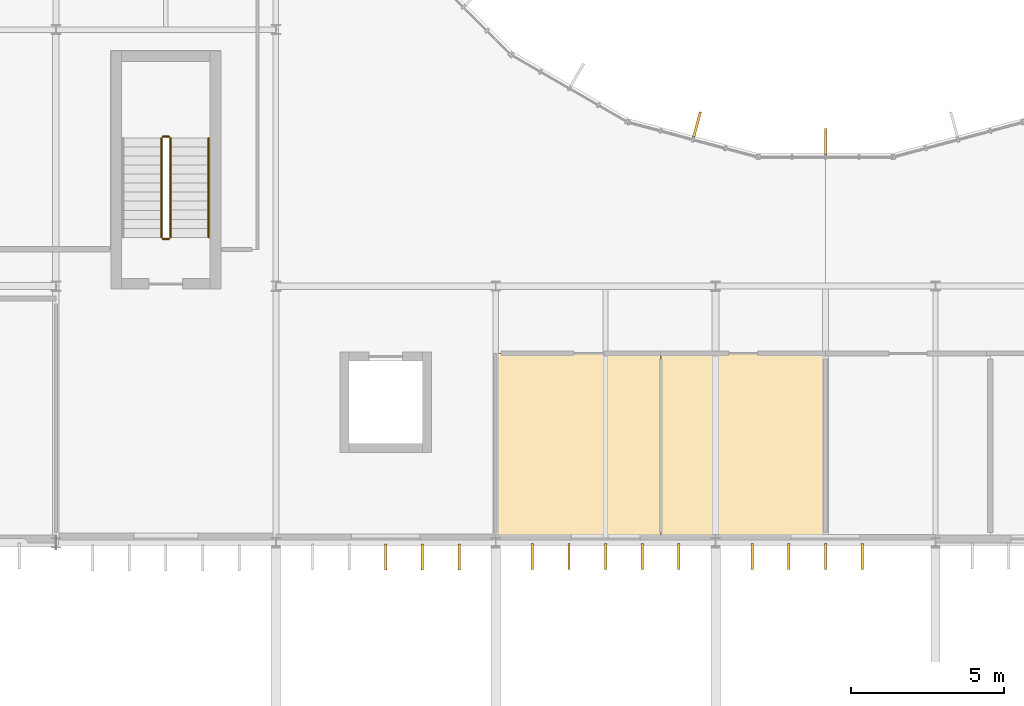
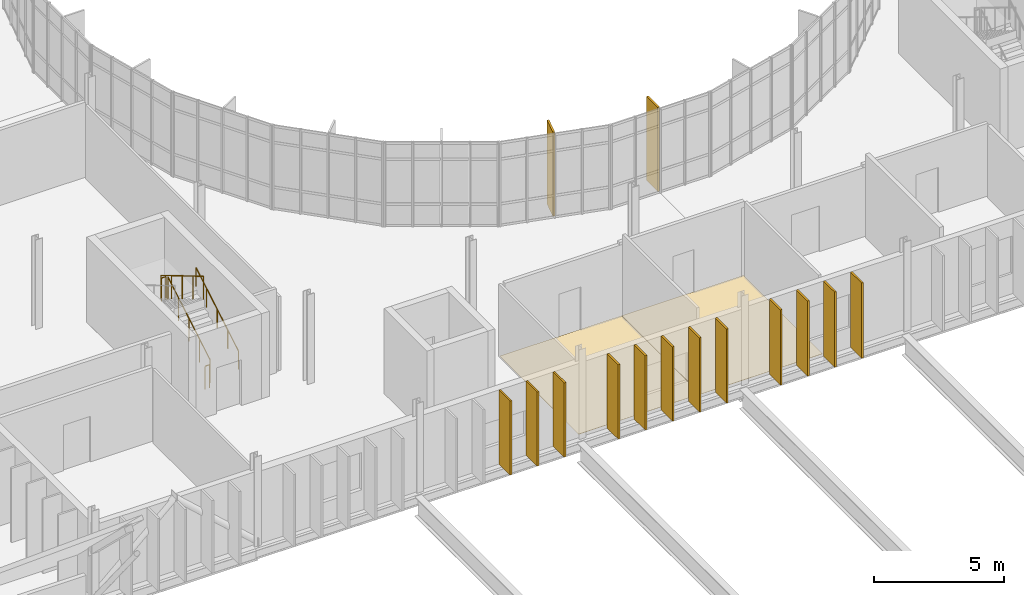
# One storey, part 88 of 99: 14 shading devices, 5 railings, 2 coverings.
"""IFC4 building model written with IfcOpenShell, lengths in metres."""

from ifc_helpers import new_model, si_unit, direction, frame, origin, origin_2d, place, context, subcontext, project, spatial, polyline, rectangle, circle, outline, extrude, material, layer, layer_set, type_object, element, save


model = new_model("IFC4")

# Units and contexts
model_context = context("Model", 3, precision=1e-05, world=origin(), true_north=direction((0.0, 1.0)))
body_context = subcontext(model_context, "Body", "Model", "MODEL_VIEW")
ifc_project = project(units=[si_unit("LENGTHUNIT", "METRE"), si_unit("AREAUNIT", "SQUARE_METRE"), si_unit("VOLUMEUNIT", "CUBIC_METRE"), si_unit("PLANEANGLEUNIT", "RADIAN"), si_unit("MASSUNIT", "GRAM", prefix="KILO")], contexts=[model_context])

# Site, building, storey
site_placement = place(None, origin())
site = spatial("IfcSite", under=ifc_project, at=site_placement, CompositionType="ELEMENT")
building_placement = place(site_placement, origin())
building = spatial("IfcBuilding", under=site, at=building_placement, Name="Qelthora Terrace Specialist Clinic", CompositionType="ELEMENT")
storey_placement = place(building_placement, frame((0.0, 0.0, 9.0)))
storey = spatial("IfcBuildingStorey", under=building, at=storey_placement, Name="L02", CompositionType="ELEMENT", Elevation=9.0)

# Coverings
ifc_material_1 = material(Name="Antimicrobial clinical linoleum flooring", Category="other")
ifc_layer = layer(ifc_material_1, 0.011962890625)
ifc_layer_set = layer_set([ifc_layer], Name="Antimicrobial clinical linoleum flooring")
covering_type = type_object("IfcCoveringType", Name="COV-FLR-LINO-12", PredefinedType="FLOORING", material=ifc_layer_set)
covering_1_placement = place(storey_placement, origin())
element("IfcCovering", 1, at=covering_1_placement, inside=storey, type_object=covering_type, Name="Rheumatology Consulting L02-31 resilient linoleum flooring", PredefinedType="FLOORING", context=body_context, shape_type="SweptSolid", body=[
    extrude(outline(polyline([(115.199951171875, 33.75), (115.199951171875, 39.800048828125), (120.60009765625, 39.800048828125), (120.60009765625, 33.75), (115.199951171875, 33.75)])), origin(), (0.0, 0.0, 1.0), 0.011962890625),
])
covering_2_placement = place(storey_placement, origin())
element("IfcCovering", 2, at=covering_2_placement, inside=storey, type_object=covering_type, Name="Gastroenterology Exam L02-33 resilient linoleum flooring", PredefinedType="FLOORING", context=body_context, shape_type="SweptSolid", body=[
    extrude(outline(polyline([(120.60498046875, 39.800048828125), (126.0, 39.800048828125), (126.0, 33.72998046875), (120.60498046875, 33.72998046875), (120.60498046875, 39.800048828125)])), origin(), (0.0, 0.0, 1.0), 0.011962890625),
])

# Railings
ifc_material_2 = material(Name="Steel S355", Category="steel")
railing_type_1 = type_object("IfcRailingType", Name="RAL-GD-1100-S355", PredefinedType="GUARDRAIL", material=ifc_material_2)
railing_1_placement = place(storey_placement, frame((104.550048828125, 43.60009765625, 0.175048828125)))
element("IfcRailing", 3, at=railing_1_placement, inside=storey, type_object=railing_type_1, Name="L02 ST-05 stair guard 1", PredefinedType="GUARDRAIL", context=body_context, shape_type="SweptSolid", body=[
    extrude(circle(Radius=0.02392578125, at=origin_2d()), frame((0.0, 0.0, 1.076171875), z_axis=(0.0, 0.860040215814, 0.510226250974), x_axis=(-1.0, 0.0, 0.0)), (0.0, 0.0, 1.0), 3.77294921875),
    extrude(circle(Radius=0.02099609375, at=origin_2d()), origin(), (0.0, 0.0, 1.0), 1.052001953125),
    extrude(circle(Radius=0.02099609375, at=origin_2d()), frame((0.0, 0.811279296875, 0.481201171875)), (0.0, 0.0, 1.0), 1.052001953125),
    extrude(circle(Radius=0.02099609375, at=origin_2d()), frame((0.0, 1.62255859375, 0.96240234375)), (0.0, 0.0, 1.0), 1.052001953125),
    extrude(circle(Radius=0.02099609375, at=origin_2d()), frame((0.0, 2.43359375, 1.44384765625)), (0.0, 0.0, 1.0), 1.052001953125),
    extrude(circle(Radius=0.02099609375, at=origin_2d()), frame((0.0, 3.244873046875, 1.925048828125)), (0.0, 0.0, 1.0), 1.052001953125),
])
railing_2_placement = place(storey_placement, frame((104.5, 46.89501953125, 2.10009765625)))
element("IfcRailing", 4, at=railing_2_placement, inside=storey, type_object=railing_type_1, Name="L02 ST-05 stair guard 2", PredefinedType="GUARDRAIL", context=body_context, shape_type="SweptSolid", body=[
    extrude(circle(Radius=0.02392578125, at=origin_2d()), frame((0.0, 0.0, 1.076171875), z_axis=(-1.0, 0.0, 0.0), x_axis=(0.0, -1.0, 0.0)), (0.0, 0.0, 1.0), 0.199951171875),
    extrude(circle(Radius=0.02099609375, at=origin_2d()), origin(), (0.0, 0.0, 1.0), 1.052001953125),
    extrude(circle(Radius=0.02099609375, at=origin_2d()), frame((-0.199951171875, 0.0, 0.0)), (0.0, 0.0, 1.0), 1.052001953125),
])
railing_3_placement = place(storey_placement, frame((104.25, 46.844970703125, 2.27490234375)))
element("IfcRailing", 5, at=railing_3_placement, inside=storey, type_object=railing_type_1, Name="L02 ST-05 stair guard 3", PredefinedType="GUARDRAIL", context=body_context, shape_type="SweptSolid", body=[
    extrude(circle(Radius=0.02392578125, at=origin_2d()), frame((0.0, 0.0, 1.076171875), z_axis=(0.0, -0.860040215814, 0.510226250974), x_axis=(1.0, 0.0, 0.0)), (0.0, 0.0, 1.0), 3.77294921875),
    extrude(circle(Radius=0.02099609375, at=origin_2d()), origin(), (0.0, 0.0, 1.0), 1.052001953125),
    extrude(circle(Radius=0.02099609375, at=origin_2d()), frame((0.0, -0.811279296875, 0.481201171875)), (0.0, 0.0, 1.0), 1.052001953125),
    extrude(circle(Radius=0.02099609375, at=origin_2d()), frame((0.0, -1.62255859375, 0.96240234375)), (0.0, 0.0, 1.0), 1.052001953125),
    extrude(circle(Radius=0.02099609375, at=origin_2d()), frame((0.0, -2.43359375, 1.44384765625)), (0.0, 0.0, 1.0), 1.052001953125),
    extrude(circle(Radius=0.02099609375, at=origin_2d()), frame((0.0, -3.244873046875, 1.925048828125)), (0.0, 0.0, 1.0), 1.052001953125),
])
railing_4_placement = place(storey_placement, frame((104.5, 43.550048828125, 0.0)))
element("IfcRailing", 6, at=railing_4_placement, inside=storey, type_object=railing_type_1, Name="L02 ST-05 stair guard 4", PredefinedType="GUARDRAIL", context=body_context, shape_type="SweptSolid", body=[
    extrude(circle(Radius=0.02392578125, at=origin_2d()), frame((0.0, 0.0, 1.076171875), z_axis=(-1.0, 0.0, 0.0), x_axis=(0.0, -1.0, 0.0)), (0.0, 0.0, 1.0), 0.199951171875),
    extrude(circle(Radius=0.02099609375, at=origin_2d()), origin(), (0.0, 0.0, 1.0), 1.052001953125),
    extrude(circle(Radius=0.02099609375, at=origin_2d()), frame((-0.199951171875, 0.0, 0.0)), (0.0, 0.0, 1.0), 1.052001953125),
])
railing_type_2 = type_object("IfcRailingType", Name="RAL-HR-900-S355", PredefinedType="HANDRAIL", material=ifc_material_2)
railing_5_placement = place(storey_placement, frame((105.800048828125, 43.60009765625, 0.367919921875)))
element("IfcRailing", 7, at=railing_5_placement, inside=storey, type_object=railing_type_2, Name="L02 ST-05 stair handrail 1", PredefinedType="HANDRAIL", context=body_context, shape_type="SweptSolid", body=[
    extrude(circle(Radius=0.02392578125, at=origin_2d()), frame((0.0, 0.0, 0.8759765625), z_axis=(0.0, 0.860040215814, 0.510226250974), x_axis=(-1.0, 0.0, 0.0)), (0.0, 0.0, 1.0), 3.77294921875),
    extrude(circle(Radius=0.02099609375, at=origin_2d()), origin(), (0.0, 0.0, 1.0), 0.851806640625),
    extrude(circle(Radius=0.02099609375, at=origin_2d()), frame((0.0, 0.811279296875, 0.481201171875)), (0.0, 0.0, 1.0), 0.851806640625),
    extrude(circle(Radius=0.02099609375, at=origin_2d()), frame((0.0, 1.62255859375, 0.96240234375)), (0.0, 0.0, 1.0), 0.851806640625),
    extrude(circle(Radius=0.02099609375, at=origin_2d()), frame((0.0, 2.43359375, 1.44384765625)), (0.0, 0.0, 1.0), 0.851806640625),
    extrude(circle(Radius=0.02099609375, at=origin_2d()), frame((0.0, 3.244873046875, 1.925048828125)), (0.0, 0.0, 1.0), 0.851806640625),
])

# Shading devices
ifc_material_3 = material(Name="Glulam timber GL28h", Category="wood")
shading_device_type = type_object("IfcShadingDeviceType", Name="SHD-FIN-850", PredefinedType="USERDEFINED", material=ifc_material_3)
for number, where, z_axis, x_axis, name in (
    (8, (121.791259765625, 47.292724609375, 0.0), (0.0, 0.0, 1.0), (0.258819045103, 0.965925826289, 0.0), "Court solar fin FIN-0063"),
    (9, (126.0, 46.73876953125, 0.0), (0.0, 0.0, 1.0), (0.0, 1.0, 0.0), "Court solar fin FIN-0064"),
):
    element("IfcShadingDevice", number, at=place(storey_placement, frame(where, z_axis=z_axis, x_axis=x_axis)), inside=storey, type_object=shading_device_type, Name=name, ObjectType="FIN", PredefinedType="USERDEFINED", context=body_context, shape_type="SweptSolid", body=[
        extrude(rectangle(XDim=0.85009765625, YDim=0.080078125, at=origin_2d()), origin(), (0.0, 0.0, 1.0), 3.945068359375),
    ])
for number, where, z_axis, x_axis, name in (
    (10, (111.60009765625, 33.135009765625, 0.0), (0.0, 0.0, 1.0), (0.0, -1.0, 0.0), "Exterior solar shading fin FIN-1346"),
    (11, (112.800048828125, 33.135009765625, 0.0), (0.0, 0.0, 1.0), (0.0, -1.0, 0.0), "Exterior solar shading fin FIN-1347"),
    (12, (114.0, 33.135009765625, 0.0), (0.0, 0.0, 1.0), (0.0, -1.0, 0.0), "Exterior solar shading fin FIN-1348"),
):
    element("IfcShadingDevice", number, at=place(storey_placement, frame(where, z_axis=z_axis, x_axis=x_axis)), inside=storey, type_object=shading_device_type, Name=name, ObjectType="FIN", PredefinedType="USERDEFINED", context=body_context, shape_type="SweptSolid", body=[
        extrude(rectangle(XDim=0.85009765625, YDim=0.080078125, at=origin_2d()), origin(), (0.0, 0.0, 1.0), 3.47607421875),
    ])
for number, where, z_axis, x_axis, name in (
    (13, (116.39990234375, 33.14501953125, 0.0), (0.0, 0.0, 1.0), (0.0, -1.0, 0.0), "Exterior solar shading fin FIN-1349"),
    (14, (117.60009765625, 33.14501953125, 0.0), (0.0, 0.0, 1.0), (0.0, -1.0, 0.0), "Exterior solar shading fin FIN-1350"),
    (15, (118.800048828125, 33.14501953125, 0.0), (0.0, 0.0, 1.0), (0.0, -1.0, 0.0), "Exterior solar shading fin FIN-1351"),
    (16, (120.0, 33.14501953125, 0.0), (0.0, 0.0, 1.0), (0.0, -1.0, 0.0), "Exterior solar shading fin FIN-1352"),
    (17, (121.199951171875, 33.14501953125, 0.0), (0.0, 0.0, 1.0), (0.0, -1.0, 0.0), "Exterior solar shading fin FIN-1353"),
):
    element("IfcShadingDevice", number, at=place(storey_placement, frame(where, z_axis=z_axis, x_axis=x_axis)), inside=storey, type_object=shading_device_type, Name=name, ObjectType="FIN", PredefinedType="USERDEFINED", context=body_context, shape_type="SweptSolid", body=[
        extrude(rectangle(XDim=0.85009765625, YDim=0.080078125, at=origin_2d()), origin(), (0.0, 0.0, 1.0), 3.48193359375),
    ])
for number, where, z_axis, x_axis, name in (
    (18, (123.60009765625, 33.155029296875, 0.0), (0.0, 0.0, 1.0), (0.0, -1.0, 0.0), "Exterior solar shading fin FIN-1354"),
    (19, (124.800048828125, 33.155029296875, 0.0), (0.0, 0.0, 1.0), (0.0, -1.0, 0.0), "Exterior solar shading fin FIN-1355"),
    (20, (126.0, 33.155029296875, 0.0), (0.0, 0.0, 1.0), (0.0, -1.0, 0.0), "Exterior solar shading fin FIN-1356"),
    (21, (127.199951171875, 33.155029296875, 0.0), (0.0, 0.0, 1.0), (0.0, -1.0, 0.0), "Exterior solar shading fin FIN-1357"),
):
    element("IfcShadingDevice", number, at=place(storey_placement, frame(where, z_axis=z_axis, x_axis=x_axis)), inside=storey, type_object=shading_device_type, Name=name, ObjectType="FIN", PredefinedType="USERDEFINED", context=body_context, shape_type="SweptSolid", body=[
        extrude(rectangle(XDim=0.85009765625, YDim=0.080078125, at=origin_2d()), origin(), (0.0, 0.0, 1.0), 3.529052734375),
    ])

save(model, "model.ifc")
